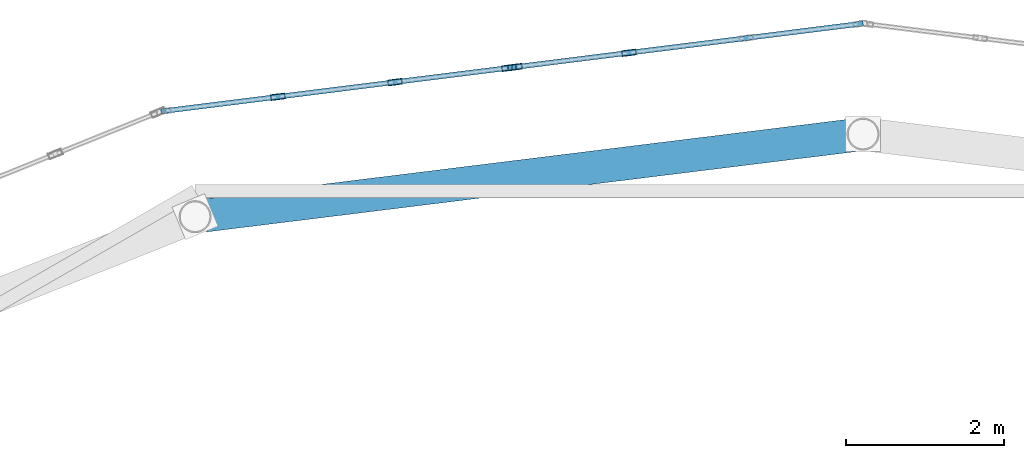
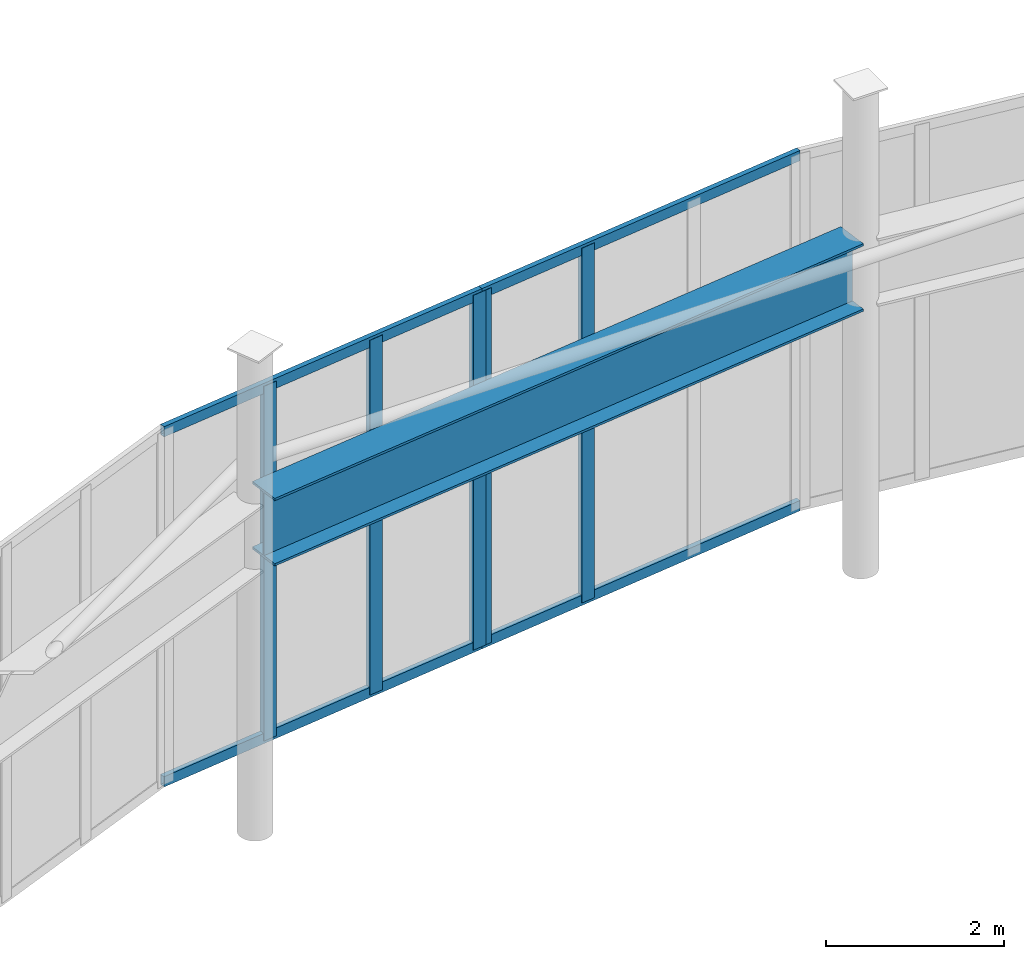
# One storey, part 35 of 91: 9 members, 1 beam, 2 elements without a shape of their own.
"""IFC4 building model written with IfcOpenShell, lengths in metres."""

from ifc_helpers import new_model, si_unit, direction, frame, origin, origin_2d, place, context, subcontext, project, spatial, hollow_rectangle, i_section, extrude, material, layer, layer_set, material_profile, profile_set, type_object, element, aggregate, save


model = new_model("IFC4")

# Units and contexts
model_context = context("Model", 3, precision=1e-05, world=origin(), true_north=direction((0.0, 1.0)))
body_context = subcontext(model_context, "Body", "Model", "MODEL_VIEW")
ifc_project = project(units=[si_unit("LENGTHUNIT", "METRE"), si_unit("AREAUNIT", "SQUARE_METRE"), si_unit("VOLUMEUNIT", "CUBIC_METRE"), si_unit("PLANEANGLEUNIT", "RADIAN"), si_unit("MASSUNIT", "GRAM", prefix="KILO")], contexts=[model_context])

# Site, building, storey
site_placement = place(None, origin())
site = spatial("IfcSite", under=ifc_project, at=site_placement, CompositionType="ELEMENT")
building_placement = place(site_placement, origin())
building = spatial("IfcBuilding", under=site, at=building_placement, Name="Sollismere Congress Hotel", CompositionType="ELEMENT")
storey_placement = place(building_placement, frame((0.0, 0.0, 10.800048828125)))
storey = spatial("IfcBuildingStorey", under=building, at=storey_placement, Name="L02", CompositionType="ELEMENT", Elevation=10.800048828125)

# Beam
ifc_material_1 = material(Name="Steel ASTM A992 Grade 50", Category="steel")
ifc_material_profile_1 = material_profile(ifc_material_1, i_section(OverallWidth=0.4189453125, OverallDepth=0.927001953125, WebThickness=0.019287109375, FlangeThickness=0.031982421875, at=origin_2d()), Name="W36X231")
ifc_profile_set_1 = profile_set([ifc_material_profile_1], Name="Steel ASTM A992 Grade 50")
beam_type = type_object("IfcBeamType", Name="BM-RG36", PredefinedType="SPANDREL", material=ifc_profile_set_1)
beam_placement = place(storey_placement, frame((28.880859375, 111.7353515625, 4.156494140625), z_axis=(-0.992441298933, -0.122720284274, 0.0), x_axis=(0.122720284274, -0.992441298933, 0.0)))
element("IfcBeam", 1, at=beam_placement, inside=storey, type_object=beam_type, Name="Beam BM-L02-4211", PredefinedType="SPANDREL", context=body_context, shape_type="SweptSolid", body=[
    extrude(i_section(OverallWidth=0.4189453125, OverallDepth=0.927001953125, WebThickness=0.019287109375, FlangeThickness=0.031982421875, at=origin_2d()), origin(), (0.0, 0.0, 1.0), 8.27587890625),
])

# Curtain wall, members
ifc_material_2 = material(Name="Anodized Bronze Curtain Wall & Low-E Triple Glazing", Category="glass")
ifc_layer = layer(ifc_material_2, 0.199951171875, Name="Anodized Bronze Curtain Wall & Low-E Triple Glazing")
ifc_layer_set = layer_set([ifc_layer], Name="Anodized Bronze Curtain Wall & Low-E Triple Glazing")
curtain_wall_type = type_object("IfcCurtainWallType", Name="CW-GLZ36", PredefinedType="USERDEFINED", material=ifc_layer_set)
curtain_wall_1_placement = place(storey_placement, origin())
curtain_wall_1 = element("IfcCurtainWall", 2, at=curtain_wall_1_placement, inside=storey, type_object=curtain_wall_type, Name="Unitised curtain wall CW-L02-019", ObjectType="UNITISED CURTAIN WALL", PredefinedType="USERDEFINED")
ifc_material_3 = material(Name="Anodized Aluminum 6063-T6", Category="aluminium")
ifc_material_profile_2 = material_profile(ifc_material_3, hollow_rectangle(XDim=0.074951171875, YDim=0.179931640625, WallThickness=0.0048828125, at=origin_2d()), Name="ALU180X75X5")
ifc_profile_set_2 = profile_set([ifc_material_profile_2], Name="Anodized Aluminum 6063-T6")
member_type_1 = type_object("IfcMemberType", Name="ML-CW180", PredefinedType="MULLION", material=ifc_profile_set_2)
member_1_placement = place(storey_placement, frame((26.03857421875, 112.77880859375, 0.0), z_axis=(0.0, 0.0, 1.0), x_axis=(0.124363496441, -0.992236726166, 0.0)))
member_1 = element("IfcMember", 3, at=member_1_placement, type_object=member_type_1, Name="CWL-CW-L02-019-ML03", PredefinedType="MULLION", context=body_context, shape_type="SweptSolid", body=[
    extrude(hollow_rectangle(XDim=0.074951171875, YDim=0.179931640625, WallThickness=0.0048828125, at=origin_2d()), origin(), (0.0, 0.0, 1.0), 4.85986328125),
])
member_2_placement = place(storey_placement, frame((24.595703125, 112.597900390625, 0.0), z_axis=(0.0, 0.0, 1.0), x_axis=(0.124363496441, -0.992236726166, 0.0)))
member_2 = element("IfcMember", 4, at=member_2_placement, type_object=member_type_1, Name="CWL-CW-L02-019-ML04", PredefinedType="MULLION", context=body_context, shape_type="SweptSolid", body=[
    extrude(hollow_rectangle(XDim=0.074951171875, YDim=0.179931640625, WallThickness=0.0048828125, at=origin_2d()), origin(), (0.0, 0.0, 1.0), 4.85986328125),
])

curtain_wall_2_placement = place(storey_placement, origin())
curtain_wall_2 = element("IfcCurtainWall", 5, at=curtain_wall_2_placement, inside=storey, type_object=curtain_wall_type, Name="Unitised curtain wall CW-L02-020", ObjectType="UNITISED CURTAIN WALL", PredefinedType="USERDEFINED")
member_3_placement = place(storey_placement, frame((24.520263671875, 112.58837890625, 0.0), z_axis=(0.0, 0.0, 1.0), x_axis=(0.124363496441, -0.992236726166, 0.0)))
member_3 = element("IfcMember", 6, at=member_3_placement, type_object=member_type_1, Name="CWL-CW-L02-020-ML01", PredefinedType="MULLION", context=body_context, shape_type="SweptSolid", body=[
    extrude(hollow_rectangle(XDim=0.074951171875, YDim=0.179931640625, WallThickness=0.0048828125, at=origin_2d()), origin(), (0.0, 0.0, 1.0), 4.85986328125),
])
member_4_placement = place(storey_placement, frame((23.0771484375, 112.40771484375, 0.0), z_axis=(0.0, 0.0, 1.0), x_axis=(0.124363496441, -0.992236726166, 0.0)))
member_4 = element("IfcMember", 7, at=member_4_placement, type_object=member_type_1, Name="CWL-CW-L02-020-ML02", PredefinedType="MULLION", context=body_context, shape_type="SweptSolid", body=[
    extrude(hollow_rectangle(XDim=0.074951171875, YDim=0.179931640625, WallThickness=0.0048828125, at=origin_2d()), origin(), (0.0, 0.0, 1.0), 4.85986328125),
])
member_5_placement = place(storey_placement, frame((21.596435546875, 112.22216796875, 0.0), z_axis=(0.0, 0.0, 1.0), x_axis=(0.124363496441, -0.992236726166, 0.0)))
member_5 = element("IfcMember", 8, at=member_5_placement, type_object=member_type_1, Name="CWL-CW-L02-020-ML03", PredefinedType="MULLION", context=body_context, shape_type="SweptSolid", body=[
    extrude(hollow_rectangle(XDim=0.074951171875, YDim=0.179931640625, WallThickness=0.0048828125, at=origin_2d()), origin(), (0.0, 0.0, 1.0), 4.85986328125),
])

# Member
ifc_material_profile_3 = material_profile(ifc_material_3, hollow_rectangle(XDim=0.06494140625, YDim=0.139892578125, WallThickness=0.00390625, at=origin_2d()), Name="ALU140X65X4")
ifc_profile_set_3 = profile_set([ifc_material_profile_3], Name="Anodized Aluminum 6063-T6")
member_type_2 = type_object("IfcMemberType", Name="TR-CW150", PredefinedType="MEMBER", material=ifc_profile_set_3)
member_6_placement = place(storey_placement, frame((29.0, 113.14990234375, 0.032470703125), z_axis=(-0.992240076669, -0.124336761462, 0.0), x_axis=(0.124336761462, -0.992240076669, 0.0)))
member_6 = element("IfcMember", 9, at=member_6_placement, type_object=member_type_2, Name="CWL-CW-L02-019-TR1", PredefinedType="MEMBER", context=body_context, shape_type="SweptSolid", body=[
    extrude(hollow_rectangle(XDim=0.06494140625, YDim=0.139892578125, WallThickness=0.00390625, at=origin_2d()), origin(), (0.0, 0.0, 1.0), 4.476806640625),
])

member_7_placement = place(storey_placement, frame((29.0, 113.14990234375, 4.827392578125), z_axis=(-0.992240076669, -0.124336761462, 0.0), x_axis=(0.124336761462, -0.992240076669, 0.0)))
member_7 = element("IfcMember", 10, at=member_7_placement, type_object=member_type_2, Name="CWL-CW-L02-019-TR2", PredefinedType="MEMBER", context=body_context, shape_type="SweptSolid", body=[
    extrude(hollow_rectangle(XDim=0.06494140625, YDim=0.139892578125, WallThickness=0.00390625, at=origin_2d()), origin(), (0.0, 0.0, 1.0), 4.476806640625),
])

aggregate(curtain_wall_1, [member_1, member_2, member_6, member_7])

member_8_placement = place(storey_placement, frame((24.557861328125, 112.59326171875, 0.032470703125), z_axis=(-0.992240076669, -0.124336761462, 0.0), x_axis=(0.124336761462, -0.992240076669, 0.0)))
member_8 = element("IfcMember", 11, at=member_8_placement, type_object=member_type_2, Name="CWL-CW-L02-020-TR1", PredefinedType="MEMBER", context=body_context, shape_type="SweptSolid", body=[
    extrude(hollow_rectangle(XDim=0.06494140625, YDim=0.139892578125, WallThickness=0.00390625, at=origin_2d()), origin(), (0.0, 0.0, 1.0), 4.476806640625),
])

member_9_placement = place(storey_placement, frame((24.557861328125, 112.59326171875, 4.827392578125), z_axis=(-0.992240076669, -0.124336761462, 0.0), x_axis=(0.124336761462, -0.992240076669, 0.0)))
member_9 = element("IfcMember", 12, at=member_9_placement, type_object=member_type_2, Name="CWL-CW-L02-020-TR2", PredefinedType="MEMBER", context=body_context, shape_type="SweptSolid", body=[
    extrude(hollow_rectangle(XDim=0.06494140625, YDim=0.139892578125, WallThickness=0.00390625, at=origin_2d()), origin(), (0.0, 0.0, 1.0), 4.476806640625),
])

aggregate(curtain_wall_2, [member_3, member_4, member_5, member_8, member_9])

save(model, "model.ifc")
